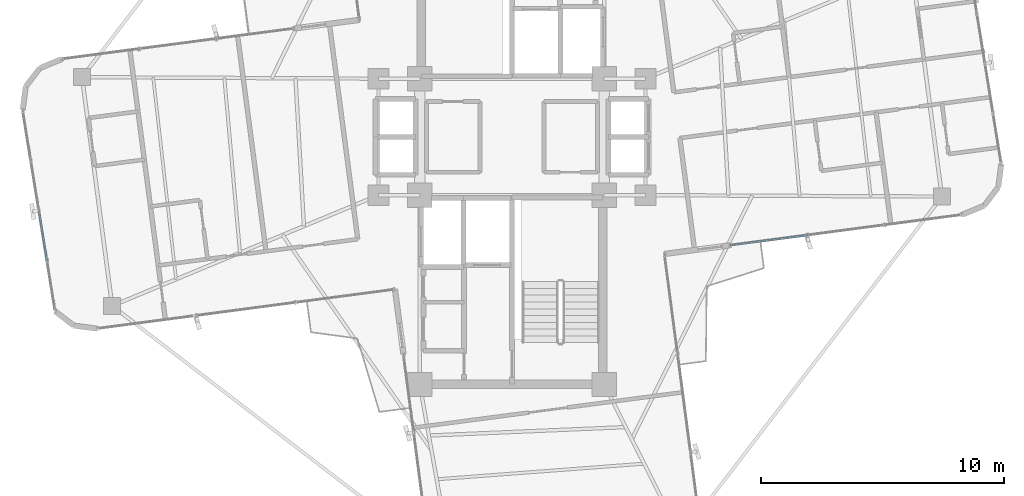
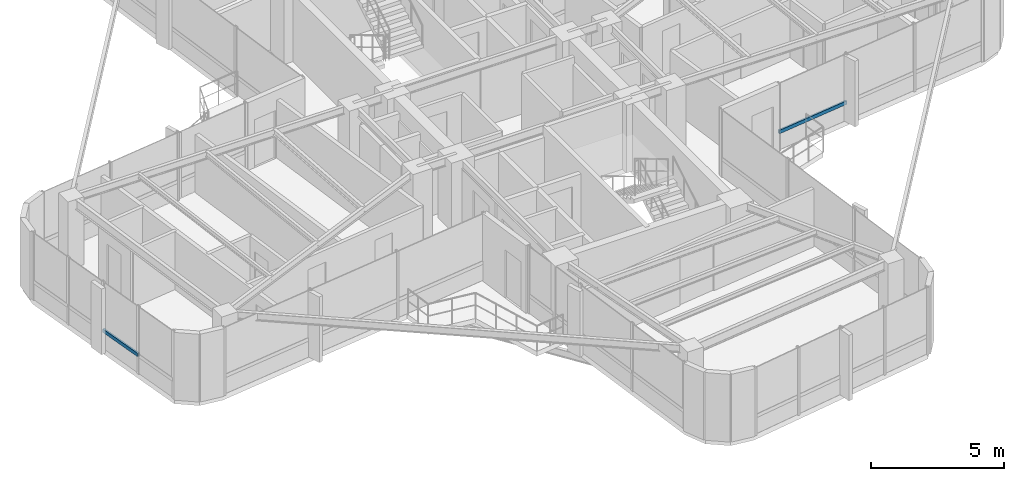
# One storey, part 6 of 22: 2 members, 2 elements without a shape of their own.
"""IFC4 building model written with IfcOpenShell, lengths in metres."""

from ifc_helpers import new_model, si_unit, direction, frame, origin, origin_2d, place, context, subcontext, project, spatial, hollow_rectangle, extrude, source, transform, mapped, material, material_profile, profile_set, type_object, element, aggregate, save


model = new_model("IFC4")

# Units and contexts
model_context = context("Model", 3, precision=1e-05, world=origin(), true_north=direction((0.0, 1.0)))
body_context = subcontext(model_context, "Body", "Model", "MODEL_VIEW")
ifc_project = project(units=[si_unit("LENGTHUNIT", "METRE"), si_unit("AREAUNIT", "SQUARE_METRE"), si_unit("VOLUMEUNIT", "CUBIC_METRE"), si_unit("PLANEANGLEUNIT", "RADIAN"), si_unit("MASSUNIT", "GRAM", prefix="KILO")], contexts=[model_context])

# Site, building, storey
site_placement = place(None, origin())
site = spatial("IfcSite", under=ifc_project, at=site_placement, CompositionType="ELEMENT")
building_placement = place(site_placement, origin())
building = spatial("IfcBuilding", under=site, at=building_placement, Name="Sahyath Konkavel Grand Hotel", CompositionType="ELEMENT")
storey_placement = place(building_placement, frame((0.0, 0.0, 272.449951171875)))
storey = spatial("IfcBuildingStorey", under=building, at=storey_placement, Name="L76", CompositionType="ELEMENT", Elevation=272.449951171875)

# Curtain wall, member
ifc_material_1 = material(Name="Anodised Bronze Aluminium & Low-E Glazing", Category="aluminium")
curtain_wall_type = type_object("IfcCurtainWallType", Name="CW-ZONE4", PredefinedType="NOTDEFINED", material=ifc_material_1)
curtain_wall_1_placement = place(storey_placement, origin())
curtain_wall_1 = element("IfcCurtainWall", 1, at=curtain_wall_1_placement, inside=storey, type_object=curtain_wall_type, Name="L76 Unitised Curtain Wall F0", PredefinedType="NOTDEFINED")
ifc_material_2 = material(Name="Anodised Bronze Aluminium", Category="aluminium")
ifc_material_profile = material_profile(ifc_material_2, hollow_rectangle(XDim=0.080078125, YDim=0.159912109375, WallThickness=0.006103515625, at=origin_2d()), Name="RHS 160x80x6")
ifc_profile_set = profile_set([ifc_material_profile], Name="Anodised Bronze Aluminium")
member_type = type_object("IfcMemberType", Name="CW-TRN-160", PredefinedType="USERDEFINED", material=ifc_profile_set)
shared_shape_1 = source(origin(), body_context, "Body", "SweptSolid", [
    extrude(hollow_rectangle(XDim=0.080078125, YDim=0.159912109375, WallThickness=0.006103515625, at=origin_2d()), origin(), (0.0, 0.0, 1.0), 3.203369140625),
])
member_1_placement = place(storey_placement, frame((8.99951171875, -4.46337890625, 0.85009765625), z_axis=(0.991451441867, 0.130476198668, 0.0), x_axis=(-0.130476198668, 0.991451441867, 0.0)))
member_1 = element("IfcMember", 2, at=member_1_placement, type_object=member_type, Name="L76 Curtain Wall Transom F0-0-spandrel", ObjectType="TRANSOM", PredefinedType="USERDEFINED", context=body_context, shape_type="MappedRepresentation", body=[
    mapped(shared_shape_1, transform((0.0, 0.0, 0.0), scale=1.0)),
])
aggregate(curtain_wall_1, [member_1])

curtain_wall_2_placement = place(storey_placement, origin())
curtain_wall_2 = element("IfcCurtainWall", 3, at=curtain_wall_2_placement, inside=storey, type_object=curtain_wall_type, Name="L76 Unitised Curtain Wall F20", PredefinedType="NOTDEFINED")
shared_shape_2 = source(origin(), body_context, "Body", "SweptSolid", [
    extrude(hollow_rectangle(XDim=0.080078125, YDim=0.159912109375, WallThickness=0.006103515625, at=origin_2d()), origin(), (0.0, 0.0, 1.0), 2.087158203125),
])
member_2_placement = place(storey_placement, frame((-19.487060546875, -3.031982421875, 0.85009765625), z_axis=(0.159673756436, -0.98716983924, 0.0), x_axis=(0.98716983924, 0.159673756436, 0.0)))
member_2 = element("IfcMember", 4, at=member_2_placement, type_object=member_type, Name="L76 Curtain Wall Transom F20-2-spandrel", ObjectType="TRANSOM", PredefinedType="USERDEFINED", context=body_context, shape_type="MappedRepresentation", body=[
    mapped(shared_shape_2, transform((0.0, 0.0, 0.0), scale=1.0)),
])
aggregate(curtain_wall_2, [member_2])

save(model, "model.ifc")
